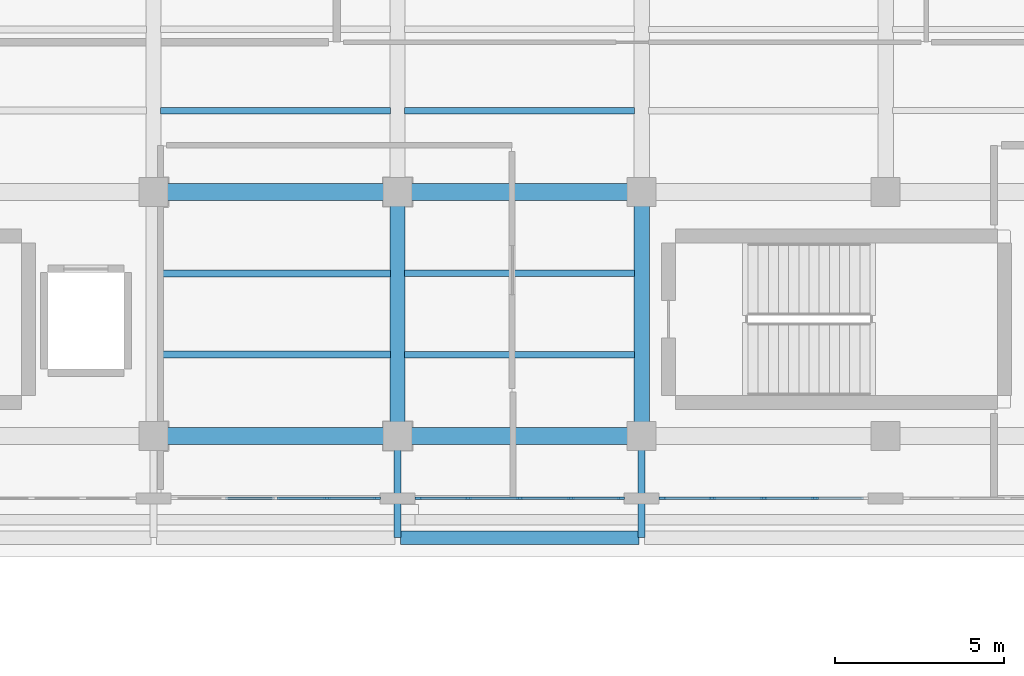
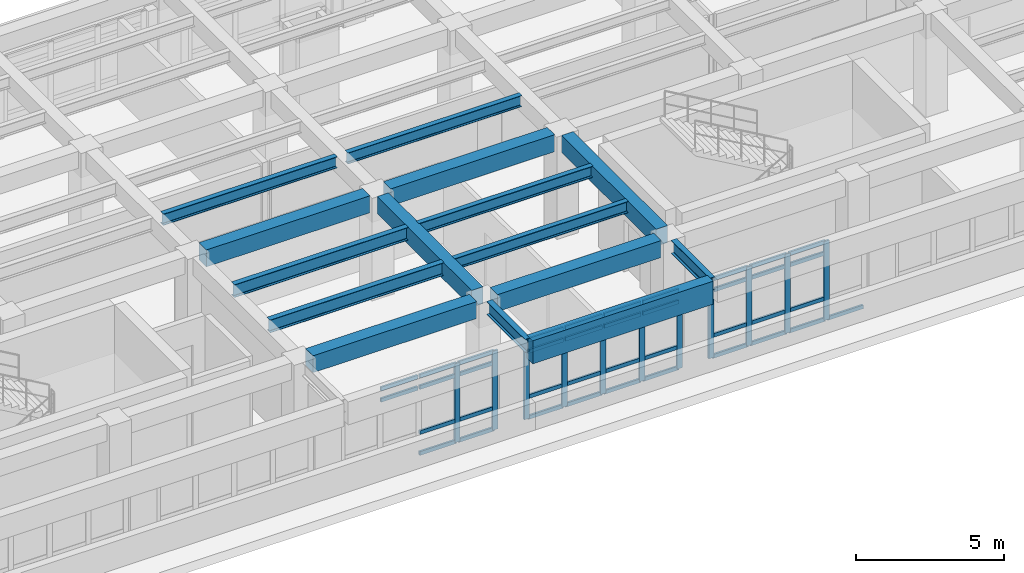
# One storey, part 40 of 98: 50 members, 15 beams, 3 elements without a shape of their own.
"""IFC4 building model written with IfcOpenShell, lengths in metres."""

from ifc_helpers import new_model, si_unit, direction, frame, origin, origin_2d, place, context, subcontext, project, spatial, rectangle, i_section, extrude, material, layer, layer_set, material_profile, profile_set, type_object, element, aggregate, save


model = new_model("IFC4")

# Units and contexts
model_context = context("Model", 3, precision=1e-05, world=origin(), true_north=direction((0.0, 1.0)))
body_context = subcontext(model_context, "Body", "Model", "MODEL_VIEW")
ifc_project = project(units=[si_unit("LENGTHUNIT", "METRE"), si_unit("AREAUNIT", "SQUARE_METRE"), si_unit("VOLUMEUNIT", "CUBIC_METRE"), si_unit("PLANEANGLEUNIT", "RADIAN"), si_unit("MASSUNIT", "GRAM", prefix="KILO")], contexts=[model_context])

# Site, building, storey
site_placement = place(None, origin())
site = spatial("IfcSite", under=ifc_project, at=site_placement, CompositionType="ELEMENT")
building_placement = place(site_placement, origin())
building = spatial("IfcBuilding", under=site, at=building_placement, Name="Solenvale Faculty of Natural Sciences", CompositionType="ELEMENT")
storey_placement = place(building_placement, frame((0.0, 0.0, 9.0)))
storey = spatial("IfcBuildingStorey", under=building, at=storey_placement, Name="L02", CompositionType="ELEMENT", Elevation=9.0)

# Beams
ifc_material_1 = material(Name="Concrete 40 MPa", Category="concrete")
ifc_material_profile_1 = material_profile(ifc_material_1, rectangle(XDim=0.449951171875, YDim=0.699951171875, at=origin_2d()), Name="RC-BM-450x700")
ifc_profile_set_1 = profile_set([ifc_material_profile_1], Name="Concrete 40 MPa")
beam_type_1 = type_object("IfcBeamType", Name="BM-RC-450x700", PredefinedType="BEAM", material=ifc_profile_set_1)
for number, where, z_axis, x_axis, name in (
    (1, (86.39990234375, 22.0048828125, 3.8701171875), (0.0, 1.0, 0.0), (-1.0, 0.0, 0.0), "L02 Y-Girder X86.4 (21.6..28.8)"),
    (2, (93.60009765625, 22.0048828125, 3.8701171875), (0.0, 1.0, 0.0), (-1.0, 0.0, 0.0), "L02 Y-Girder X93.6 (21.6..28.8)"),
):
    element("IfcBeam", number, at=place(storey_placement, frame(where, z_axis=z_axis, x_axis=x_axis)), inside=storey, type_object=beam_type_1, Name=name, PredefinedType="BEAM", context=body_context, shape_type="SweptSolid", body=[
        extrude(rectangle(XDim=0.449951171875, YDim=0.699951171875, at=origin_2d()), origin(), (0.0, 0.0, 1.0), 6.39013671875),
    ])
ifc_material_profile_2 = material_profile(ifc_material_1, rectangle(XDim=0.5, YDim=0.699951171875, at=origin_2d()), Name="RC-BM-500x700")
ifc_profile_set_2 = profile_set([ifc_material_profile_2], Name="Concrete 40 MPa")
beam_type_2 = type_object("IfcBeamType", Name="BM-RC-500x700", PredefinedType="BEAM", material=ifc_profile_set_2)
for number, where, z_axis, x_axis, name in (
    (3, (79.60498046875, 21.60009765625, 3.8701171875), (1.0, 0.0, 0.0), (0.0, 1.0, 0.0), "L02 X-Girder Y21.6 (79.2..86.4)"),
    (4, (86.804931640625, 21.60009765625, 3.8701171875), (1.0, 0.0, 0.0), (0.0, 1.0, 0.0), "L02 X-Girder Y21.6 (86.4..93.6)"),
    (5, (79.60498046875, 28.800048828125, 3.8701171875), (1.0, 0.0, 0.0), (0.0, 1.0, 0.0), "L02 X-Girder Y28.8 (79.2..86.4)"),
    (6, (86.804931640625, 28.800048828125, 3.8701171875), (1.0, 0.0, 0.0), (0.0, 1.0, 0.0), "L02 X-Girder Y28.8 (86.4..93.6)"),
):
    element("IfcBeam", number, at=place(storey_placement, frame(where, z_axis=z_axis, x_axis=x_axis)), inside=storey, type_object=beam_type_2, Name=name, PredefinedType="BEAM", context=body_context, shape_type="SweptSolid", body=[
        extrude(rectangle(XDim=0.5, YDim=0.699951171875, at=origin_2d()), origin(), (0.0, 0.0, 1.0), 6.39013671875),
    ])
ifc_material_2 = material(Name="Architectural bronze concrete 40 MPa", Category="concrete")
ifc_material_profile_3 = material_profile(ifc_material_2, rectangle(XDim=0.39990234375, YDim=0.949951171875, at=origin_2d()), Name="RC-SPN-400x950")
ifc_profile_set_3 = profile_set([ifc_material_profile_3], Name="Architectural bronze concrete 40 MPa")
beam_type_3 = type_object("IfcBeamType", Name="BM-SPN-BRZ-950", PredefinedType="SPANDREL", material=ifc_profile_set_3)
beam_1_placement = place(storey_placement, frame((86.47998046875, 18.60009765625, 3.7451171875), z_axis=(1.0, 0.0, 0.0), x_axis=(0.0, 1.0, 0.0)))
element("IfcBeam", 7, at=beam_1_placement, inside=storey, type_object=beam_type_3, Name="L03 Sliding-Tray South Bronze Fascia 4", PredefinedType="SPANDREL", context=body_context, shape_type="SweptSolid", body=[
    extrude(rectangle(XDim=0.39990234375, YDim=0.949951171875, at=origin_2d()), origin(), (0.0, 0.0, 1.0), 7.0400390625),
])
ifc_material_3 = material(Name="Steel S355", Category="steel")
ifc_material_profile_4 = material_profile(ifc_material_3, i_section(OverallWidth=0.194091796875, OverallDepth=0.468994140625, WebThickness=0.0126953125, FlangeThickness=0.0205078125, FilletRadius=0.01806640625, at=origin_2d()), Name="W460x106")
ifc_profile_set_4 = profile_set([ifc_material_profile_4], Name="Steel S355")
beam_type_4 = type_object("IfcBeamType", Name="BM-STL-W460x106", PredefinedType="JOIST", material=ifc_profile_set_4)
for number, where, z_axis, x_axis, name in (
    (8, (79.405029296875, 31.199951171875, 3.985595703125), (1.0, 0.0, 0.0), (0.0, 1.0, 0.0), "L02 Composite Floor Joist (12,5).1"),
    (9, (86.60498046875, 24.0, 3.985595703125), (1.0, 0.0, 0.0), (0.0, 1.0, 0.0), "L02 Composite Floor Joist (13,4).1"),
    (10, (86.60498046875, 26.39990234375, 3.985595703125), (1.0, 0.0, 0.0), (0.0, 1.0, 0.0), "L02 Composite Floor Joist (13,4).2"),
):
    element("IfcBeam", number, at=place(storey_placement, frame(where, z_axis=z_axis, x_axis=x_axis)), inside=storey, type_object=beam_type_4, Name=name, PredefinedType="JOIST", context=body_context, shape_type="SweptSolid", body=[
        extrude(i_section(OverallWidth=0.194091796875, OverallDepth=0.468994140625, WebThickness=0.0126953125, FlangeThickness=0.0205078125, FilletRadius=0.01806640625, at=origin_2d()), origin(), (0.0, 0.0, 1.0), 6.7900390625),
    ])
ifc_material_profile_5 = material_profile(ifc_material_3, i_section(OverallWidth=0.19091796875, OverallDepth=0.4599609375, WebThickness=0.010009765625, FlangeThickness=0.01611328125, FilletRadius=0.01806640625, at=origin_2d()), Name="W460x82")
ifc_profile_set_5 = profile_set([ifc_material_profile_5], Name="Steel S355")
beam_type_5 = type_object("IfcBeamType", Name="BM-STL-W460x82", PredefinedType="JOIST", material=ifc_profile_set_5)
beam_2_placement = place(storey_placement, frame((86.60498046875, 31.199951171875, 3.989990234375), z_axis=(1.0, 0.0, 0.0), x_axis=(0.0, 1.0, 0.0)))
element("IfcBeam", 11, at=beam_2_placement, inside=storey, type_object=beam_type_5, Name="L02 Composite Floor Joist (13,5).1", PredefinedType="JOIST", context=body_context, shape_type="SweptSolid", body=[
    extrude(i_section(OverallWidth=0.19091796875, OverallDepth=0.4599609375, WebThickness=0.010009765625, FlangeThickness=0.01611328125, FilletRadius=0.01806640625, at=origin_2d()), origin(), (0.0, 0.0, 1.0), 6.7900390625),
])
ifc_material_profile_6 = material_profile(ifc_material_3, i_section(OverallWidth=0.2119140625, OverallDepth=0.5439453125, WebThickness=0.01318359375, FlangeThickness=0.021240234375, FilletRadius=0.01904296875, at=origin_2d()), Name="W530x123")
ifc_profile_set_6 = profile_set([ifc_material_profile_6], Name="Steel S355")
beam_type_6 = type_object("IfcBeamType", Name="BM-STL-W530x123", PredefinedType="BEAM", material=ifc_profile_set_6)
for number, where, z_axis, x_axis, name in (
    (12, (86.39990234375, 21.195068359375, 3.947998046875), (0.0, -1.0, 0.0), (1.0, 0.0, 0.0), "L02 V4 Cantilever Tray Girder X86.4"),
    (13, (93.60009765625, 21.195068359375, 3.947998046875), (0.0, -1.0, 0.0), (1.0, 0.0, 0.0), "L02 V4 Cantilever Tray Girder X93.6"),
):
    element("IfcBeam", number, at=place(storey_placement, frame(where, z_axis=z_axis, x_axis=x_axis)), inside=storey, type_object=beam_type_6, Name=name, PredefinedType="BEAM", context=body_context, shape_type="SweptSolid", body=[
        extrude(i_section(OverallWidth=0.2119140625, OverallDepth=0.5439453125, WebThickness=0.01318359375, FlangeThickness=0.021240234375, FilletRadius=0.01904296875, at=origin_2d()), origin(), (0.0, 0.0, 1.0), 2.594970703125),
    ])
ifc_material_profile_7 = material_profile(ifc_material_3, i_section(OverallWidth=0.208984375, OverallDepth=0.532958984375, WebThickness=0.01025390625, FlangeThickness=0.015625, FilletRadius=0.01904296875, at=origin_2d()), Name="W530x92")
ifc_profile_set_7 = profile_set([ifc_material_profile_7], Name="Steel S355")
beam_type_7 = type_object("IfcBeamType", Name="BM-STL-W530x92", PredefinedType="JOIST", material=ifc_profile_set_7)
for number, where, z_axis, x_axis, name in (
    (14, (79.405029296875, 24.0, 3.95361328125), (1.0, 0.0, 0.0), (0.0, 1.0, 0.0), "L02 Composite Floor Joist (12,4).1"),
    (15, (79.405029296875, 26.39990234375, 3.95361328125), (1.0, 0.0, 0.0), (0.0, 1.0, 0.0), "L02 Composite Floor Joist (12,4).2"),
):
    element("IfcBeam", number, at=place(storey_placement, frame(where, z_axis=z_axis, x_axis=x_axis)), inside=storey, type_object=beam_type_7, Name=name, PredefinedType="JOIST", context=body_context, shape_type="SweptSolid", body=[
        extrude(i_section(OverallWidth=0.208984375, OverallDepth=0.532958984375, WebThickness=0.01025390625, FlangeThickness=0.015625, FilletRadius=0.01904296875, at=origin_2d()), origin(), (0.0, 0.0, 1.0), 6.7900390625),
    ])

# Curtain wall, members
ifc_material_4 = material(Name="Anodised bronze aluminium", Category="aluminium")
ifc_layer = layer(ifc_material_4, 0.18994140625)
ifc_layer_set = layer_set([ifc_layer], Name="Anodised bronze aluminium")
curtain_wall_type = type_object("IfcCurtainWallType", Name="CW-TRAY-REC", PredefinedType="USERDEFINED", material=ifc_layer_set)
curtain_wall_1_placement = place(storey_placement, origin())
curtain_wall_1 = element("IfcCurtainWall", 16, at=curtain_wall_1_placement, inside=storey, type_object=curtain_wall_type, Name="L02 Curtain Wall CW-L02-P1-E12-B4", ObjectType="UNITISED CURTAIN WALL", PredefinedType="USERDEFINED")
ifc_material_profile_8 = material_profile(ifc_material_4, rectangle(XDim=0.074951171875, YDim=0.2099609375, at=origin_2d()), Name="ALU-MUL-75x210")
ifc_profile_set_8 = profile_set([ifc_material_profile_8], Name="Anodised bronze aluminium")
member_type_1 = type_object("IfcMemberType", Name="CWM-ALU-75x210", PredefinedType="MULLION", material=ifc_profile_set_8)
member_1_placement = place(storey_placement, frame((84.31005859375, 19.762451171875, 0.0), z_axis=(0.0, 0.0, 1.0), x_axis=(0.0, 1.0, 0.0)))
member_1 = element("IfcMember", 17, at=member_1_placement, type_object=member_type_1, Name="CW-02 mullion 4", PredefinedType="MULLION", context=body_context, shape_type="SweptSolid", body=[
    extrude(rectangle(XDim=0.074951171875, YDim=0.2099609375, at=origin_2d()), origin(), (0.0, 0.0, 1.0), 3.260009765625),
])
member_2_placement = place(storey_placement, frame((85.782470703125, 19.762451171875, 0.0), z_axis=(0.0, 0.0, 1.0), x_axis=(0.0, 1.0, 0.0)))
member_2 = element("IfcMember", 18, at=member_2_placement, type_object=member_type_1, Name="CW-02 mullion 5", PredefinedType="MULLION", context=body_context, shape_type="SweptSolid", body=[
    extrude(rectangle(XDim=0.074951171875, YDim=0.2099609375, at=origin_2d()), origin(), (0.0, 0.0, 1.0), 3.260009765625),
])

curtain_wall_2_placement = place(storey_placement, origin())
curtain_wall_2 = element("IfcCurtainWall", 19, at=curtain_wall_2_placement, inside=storey, type_object=curtain_wall_type, Name="L02 Curtain Wall CW-L02-P1-E12-B5", ObjectType="UNITISED CURTAIN WALL", PredefinedType="USERDEFINED")
member_3_placement = place(storey_placement, frame((87.017578125, 19.762451171875, 0.0), z_axis=(0.0, 0.0, 1.0), x_axis=(0.0, 1.0, 0.0)))
member_3 = element("IfcMember", 20, at=member_3_placement, type_object=member_type_1, Name="CW-02 mullion 1", PredefinedType="MULLION", context=body_context, shape_type="SweptSolid", body=[
    extrude(rectangle(XDim=0.074951171875, YDim=0.2099609375, at=origin_2d()), origin(), (0.0, 0.0, 1.0), 3.260009765625),
])
member_4_placement = place(storey_placement, frame((88.489990234375, 19.762451171875, 0.0), z_axis=(0.0, 0.0, 1.0), x_axis=(0.0, 1.0, 0.0)))
member_4 = element("IfcMember", 21, at=member_4_placement, type_object=member_type_1, Name="CW-02 mullion 2", PredefinedType="MULLION", context=body_context, shape_type="SweptSolid", body=[
    extrude(rectangle(XDim=0.074951171875, YDim=0.2099609375, at=origin_2d()), origin(), (0.0, 0.0, 1.0), 3.260009765625),
])
member_5_placement = place(storey_placement, frame((90.0, 19.762451171875, 0.0), z_axis=(0.0, 0.0, 1.0), x_axis=(0.0, 1.0, 0.0)))
member_5 = element("IfcMember", 22, at=member_5_placement, type_object=member_type_1, Name="CW-02 mullion 3", PredefinedType="MULLION", context=body_context, shape_type="SweptSolid", body=[
    extrude(rectangle(XDim=0.074951171875, YDim=0.2099609375, at=origin_2d()), origin(), (0.0, 0.0, 1.0), 3.260009765625),
])
member_6_placement = place(storey_placement, frame((91.510009765625, 19.762451171875, 0.0), z_axis=(0.0, 0.0, 1.0), x_axis=(0.0, 1.0, 0.0)))
member_6 = element("IfcMember", 23, at=member_6_placement, type_object=member_type_1, Name="CW-02 mullion 4", PredefinedType="MULLION", context=body_context, shape_type="SweptSolid", body=[
    extrude(rectangle(XDim=0.074951171875, YDim=0.2099609375, at=origin_2d()), origin(), (0.0, 0.0, 1.0), 3.260009765625),
])
member_7_placement = place(storey_placement, frame((92.982421875, 19.762451171875, 0.0), z_axis=(0.0, 0.0, 1.0), x_axis=(0.0, 1.0, 0.0)))
member_7 = element("IfcMember", 24, at=member_7_placement, type_object=member_type_1, Name="CW-02 mullion 5", PredefinedType="MULLION", context=body_context, shape_type="SweptSolid", body=[
    extrude(rectangle(XDim=0.074951171875, YDim=0.2099609375, at=origin_2d()), origin(), (0.0, 0.0, 1.0), 3.260009765625),
])

curtain_wall_3_placement = place(storey_placement, origin())
curtain_wall_3 = element("IfcCurtainWall", 25, at=curtain_wall_3_placement, inside=storey, type_object=curtain_wall_type, Name="L02 Curtain Wall CW-L02-P1-E12-B6", ObjectType="UNITISED CURTAIN WALL", PredefinedType="USERDEFINED")
member_8_placement = place(storey_placement, frame((94.217529296875, 19.762451171875, 0.0), z_axis=(0.0, 0.0, 1.0), x_axis=(0.0, 1.0, 0.0)))
member_8 = element("IfcMember", 26, at=member_8_placement, type_object=member_type_1, Name="CW-02 mullion 1", PredefinedType="MULLION", context=body_context, shape_type="SweptSolid", body=[
    extrude(rectangle(XDim=0.074951171875, YDim=0.2099609375, at=origin_2d()), origin(), (0.0, 0.0, 1.0), 3.260009765625),
])
member_9_placement = place(storey_placement, frame((95.68994140625, 19.762451171875, 0.0), z_axis=(0.0, 0.0, 1.0), x_axis=(0.0, 1.0, 0.0)))
member_9 = element("IfcMember", 27, at=member_9_placement, type_object=member_type_1, Name="CW-02 mullion 2", PredefinedType="MULLION", context=body_context, shape_type="SweptSolid", body=[
    extrude(rectangle(XDim=0.074951171875, YDim=0.2099609375, at=origin_2d()), origin(), (0.0, 0.0, 1.0), 3.260009765625),
])
member_10_placement = place(storey_placement, frame((97.199951171875, 19.762451171875, 0.0), z_axis=(0.0, 0.0, 1.0), x_axis=(0.0, 1.0, 0.0)))
member_10 = element("IfcMember", 28, at=member_10_placement, type_object=member_type_1, Name="CW-02 mullion 3", PredefinedType="MULLION", context=body_context, shape_type="SweptSolid", body=[
    extrude(rectangle(XDim=0.074951171875, YDim=0.2099609375, at=origin_2d()), origin(), (0.0, 0.0, 1.0), 3.260009765625),
])
member_11_placement = place(storey_placement, frame((98.7099609375, 19.762451171875, 0.0), z_axis=(0.0, 0.0, 1.0), x_axis=(0.0, 1.0, 0.0)))
member_11 = element("IfcMember", 29, at=member_11_placement, type_object=member_type_1, Name="CW-02 mullion 4", PredefinedType="MULLION", context=body_context, shape_type="SweptSolid", body=[
    extrude(rectangle(XDim=0.074951171875, YDim=0.2099609375, at=origin_2d()), origin(), (0.0, 0.0, 1.0), 3.260009765625),
])

# Member
ifc_material_profile_9 = material_profile(ifc_material_4, rectangle(XDim=0.074951171875, YDim=0.155029296875, at=origin_2d()), Name="ALU-TRN-75x155")
ifc_profile_set_9 = profile_set([ifc_material_profile_9], Name="Anodised bronze aluminium")
member_type_2 = type_object("IfcMemberType", Name="CWT-ALU-75x155", PredefinedType="USERDEFINED", material=ifc_profile_set_9)
member_12_placement = place(storey_placement, frame((81.327392578125, 19.762451171875, 2.760009765625), z_axis=(1.0, 0.0, 0.0), x_axis=(0.0, 1.0, 0.0)))
member_12 = element("IfcMember", 30, at=member_12_placement, type_object=member_type_2, Name="CW-02 transom 2.3", ObjectType="TRANSOM", PredefinedType="USERDEFINED", context=body_context, shape_type="SweptSolid", body=[
    extrude(rectangle(XDim=0.074951171875, YDim=0.155029296875, at=origin_2d()), origin(), (0.0, 0.0, 1.0), 1.43505859375),
])

member_13_placement = place(storey_placement, frame((81.327392578125, 19.762451171875, 3.222412109375), z_axis=(1.0, 0.0, 0.0), x_axis=(0.0, 1.0, 0.0)))
member_13 = element("IfcMember", 31, at=member_13_placement, type_object=member_type_2, Name="CW-02 transom 2.4", ObjectType="TRANSOM", PredefinedType="USERDEFINED", context=body_context, shape_type="SweptSolid", body=[
    extrude(rectangle(XDim=0.074951171875, YDim=0.155029296875, at=origin_2d()), origin(), (0.0, 0.0, 1.0), 1.43505859375),
])

member_14_placement = place(storey_placement, frame((82.83740234375, 19.762451171875, 0.03759765625), z_axis=(1.0, 0.0, 0.0), x_axis=(0.0, 1.0, 0.0)))
member_14 = element("IfcMember", 32, at=member_14_placement, type_object=member_type_2, Name="CW-02 transom 3.1", ObjectType="TRANSOM", PredefinedType="USERDEFINED", context=body_context, shape_type="SweptSolid", body=[
    extrude(rectangle(XDim=0.074951171875, YDim=0.155029296875, at=origin_2d()), origin(), (0.0, 0.0, 1.0), 1.43505859375),
])

member_15_placement = place(storey_placement, frame((82.83740234375, 19.762451171875, 0.89990234375), z_axis=(1.0, 0.0, 0.0), x_axis=(0.0, 1.0, 0.0)))
member_15 = element("IfcMember", 33, at=member_15_placement, type_object=member_type_2, Name="CW-02 transom 3.2", ObjectType="TRANSOM", PredefinedType="USERDEFINED", context=body_context, shape_type="SweptSolid", body=[
    extrude(rectangle(XDim=0.074951171875, YDim=0.155029296875, at=origin_2d()), origin(), (0.0, 0.0, 1.0), 1.43505859375),
])

member_16_placement = place(storey_placement, frame((82.83740234375, 19.762451171875, 2.760009765625), z_axis=(1.0, 0.0, 0.0), x_axis=(0.0, 1.0, 0.0)))
member_16 = element("IfcMember", 34, at=member_16_placement, type_object=member_type_2, Name="CW-02 transom 3.3", ObjectType="TRANSOM", PredefinedType="USERDEFINED", context=body_context, shape_type="SweptSolid", body=[
    extrude(rectangle(XDim=0.074951171875, YDim=0.155029296875, at=origin_2d()), origin(), (0.0, 0.0, 1.0), 1.43505859375),
])

member_17_placement = place(storey_placement, frame((82.83740234375, 19.762451171875, 3.222412109375), z_axis=(1.0, 0.0, 0.0), x_axis=(0.0, 1.0, 0.0)))
member_17 = element("IfcMember", 35, at=member_17_placement, type_object=member_type_2, Name="CW-02 transom 3.4", ObjectType="TRANSOM", PredefinedType="USERDEFINED", context=body_context, shape_type="SweptSolid", body=[
    extrude(rectangle(XDim=0.074951171875, YDim=0.155029296875, at=origin_2d()), origin(), (0.0, 0.0, 1.0), 1.43505859375),
])

member_18_placement = place(storey_placement, frame((84.347412109375, 19.762451171875, 0.03759765625), z_axis=(1.0, 0.0, 0.0), x_axis=(0.0, 1.0, 0.0)))
member_18 = element("IfcMember", 36, at=member_18_placement, type_object=member_type_2, Name="CW-02 transom 4.1", ObjectType="TRANSOM", PredefinedType="USERDEFINED", context=body_context, shape_type="SweptSolid", body=[
    extrude(rectangle(XDim=0.074951171875, YDim=0.155029296875, at=origin_2d()), origin(), (0.0, 0.0, 1.0), 1.397705078125),
])

member_19_placement = place(storey_placement, frame((84.347412109375, 19.762451171875, 0.89990234375), z_axis=(1.0, 0.0, 0.0), x_axis=(0.0, 1.0, 0.0)))
member_19 = element("IfcMember", 37, at=member_19_placement, type_object=member_type_2, Name="CW-02 transom 4.2", ObjectType="TRANSOM", PredefinedType="USERDEFINED", context=body_context, shape_type="SweptSolid", body=[
    extrude(rectangle(XDim=0.074951171875, YDim=0.155029296875, at=origin_2d()), origin(), (0.0, 0.0, 1.0), 1.397705078125),
])

member_20_placement = place(storey_placement, frame((84.347412109375, 19.762451171875, 2.760009765625), z_axis=(1.0, 0.0, 0.0), x_axis=(0.0, 1.0, 0.0)))
member_20 = element("IfcMember", 38, at=member_20_placement, type_object=member_type_2, Name="CW-02 transom 4.3", ObjectType="TRANSOM", PredefinedType="USERDEFINED", context=body_context, shape_type="SweptSolid", body=[
    extrude(rectangle(XDim=0.074951171875, YDim=0.155029296875, at=origin_2d()), origin(), (0.0, 0.0, 1.0), 1.397705078125),
])

member_21_placement = place(storey_placement, frame((84.347412109375, 19.762451171875, 3.222412109375), z_axis=(1.0, 0.0, 0.0), x_axis=(0.0, 1.0, 0.0)))
member_21 = element("IfcMember", 39, at=member_21_placement, type_object=member_type_2, Name="CW-02 transom 4.4", ObjectType="TRANSOM", PredefinedType="USERDEFINED", context=body_context, shape_type="SweptSolid", body=[
    extrude(rectangle(XDim=0.074951171875, YDim=0.155029296875, at=origin_2d()), origin(), (0.0, 0.0, 1.0), 1.397705078125),
])

aggregate(curtain_wall_1, [member_1, member_2, member_12, member_13, member_14, member_15, member_16, member_17, member_18, member_19, member_20, member_21])

member_22_placement = place(storey_placement, frame((87.054931640625, 19.762451171875, 0.03759765625), z_axis=(1.0, 0.0, 0.0), x_axis=(0.0, 1.0, 0.0)))
member_22 = element("IfcMember", 40, at=member_22_placement, type_object=member_type_2, Name="CW-02 transom 1.1", ObjectType="TRANSOM", PredefinedType="USERDEFINED", context=body_context, shape_type="SweptSolid", body=[
    extrude(rectangle(XDim=0.074951171875, YDim=0.155029296875, at=origin_2d()), origin(), (0.0, 0.0, 1.0), 1.3974609375),
])

member_23_placement = place(storey_placement, frame((87.054931640625, 19.762451171875, 0.89990234375), z_axis=(1.0, 0.0, 0.0), x_axis=(0.0, 1.0, 0.0)))
member_23 = element("IfcMember", 41, at=member_23_placement, type_object=member_type_2, Name="CW-02 transom 1.2", ObjectType="TRANSOM", PredefinedType="USERDEFINED", context=body_context, shape_type="SweptSolid", body=[
    extrude(rectangle(XDim=0.074951171875, YDim=0.155029296875, at=origin_2d()), origin(), (0.0, 0.0, 1.0), 1.3974609375),
])

member_24_placement = place(storey_placement, frame((87.054931640625, 19.762451171875, 2.760009765625), z_axis=(1.0, 0.0, 0.0), x_axis=(0.0, 1.0, 0.0)))
member_24 = element("IfcMember", 42, at=member_24_placement, type_object=member_type_2, Name="CW-02 transom 1.3", ObjectType="TRANSOM", PredefinedType="USERDEFINED", context=body_context, shape_type="SweptSolid", body=[
    extrude(rectangle(XDim=0.074951171875, YDim=0.155029296875, at=origin_2d()), origin(), (0.0, 0.0, 1.0), 1.3974609375),
])

member_25_placement = place(storey_placement, frame((87.054931640625, 19.762451171875, 3.222412109375), z_axis=(1.0, 0.0, 0.0), x_axis=(0.0, 1.0, 0.0)))
member_25 = element("IfcMember", 43, at=member_25_placement, type_object=member_type_2, Name="CW-02 transom 1.4", ObjectType="TRANSOM", PredefinedType="USERDEFINED", context=body_context, shape_type="SweptSolid", body=[
    extrude(rectangle(XDim=0.074951171875, YDim=0.155029296875, at=origin_2d()), origin(), (0.0, 0.0, 1.0), 1.3974609375),
])

member_26_placement = place(storey_placement, frame((88.527587890625, 19.762451171875, 0.03759765625), z_axis=(1.0, 0.0, 0.0), x_axis=(0.0, 1.0, 0.0)))
member_26 = element("IfcMember", 44, at=member_26_placement, type_object=member_type_2, Name="CW-02 transom 2.1", ObjectType="TRANSOM", PredefinedType="USERDEFINED", context=body_context, shape_type="SweptSolid", body=[
    extrude(rectangle(XDim=0.074951171875, YDim=0.155029296875, at=origin_2d()), origin(), (0.0, 0.0, 1.0), 1.434814453125),
])

member_27_placement = place(storey_placement, frame((88.527587890625, 19.762451171875, 0.89990234375), z_axis=(1.0, 0.0, 0.0), x_axis=(0.0, 1.0, 0.0)))
member_27 = element("IfcMember", 45, at=member_27_placement, type_object=member_type_2, Name="CW-02 transom 2.2", ObjectType="TRANSOM", PredefinedType="USERDEFINED", context=body_context, shape_type="SweptSolid", body=[
    extrude(rectangle(XDim=0.074951171875, YDim=0.155029296875, at=origin_2d()), origin(), (0.0, 0.0, 1.0), 1.434814453125),
])

member_28_placement = place(storey_placement, frame((88.527587890625, 19.762451171875, 2.760009765625), z_axis=(1.0, 0.0, 0.0), x_axis=(0.0, 1.0, 0.0)))
member_28 = element("IfcMember", 46, at=member_28_placement, type_object=member_type_2, Name="CW-02 transom 2.3", ObjectType="TRANSOM", PredefinedType="USERDEFINED", context=body_context, shape_type="SweptSolid", body=[
    extrude(rectangle(XDim=0.074951171875, YDim=0.155029296875, at=origin_2d()), origin(), (0.0, 0.0, 1.0), 1.434814453125),
])

member_29_placement = place(storey_placement, frame((88.527587890625, 19.762451171875, 3.222412109375), z_axis=(1.0, 0.0, 0.0), x_axis=(0.0, 1.0, 0.0)))
member_29 = element("IfcMember", 47, at=member_29_placement, type_object=member_type_2, Name="CW-02 transom 2.4", ObjectType="TRANSOM", PredefinedType="USERDEFINED", context=body_context, shape_type="SweptSolid", body=[
    extrude(rectangle(XDim=0.074951171875, YDim=0.155029296875, at=origin_2d()), origin(), (0.0, 0.0, 1.0), 1.434814453125),
])

member_30_placement = place(storey_placement, frame((90.03759765625, 19.762451171875, 0.03759765625), z_axis=(1.0, 0.0, 0.0), x_axis=(0.0, 1.0, 0.0)))
member_30 = element("IfcMember", 48, at=member_30_placement, type_object=member_type_2, Name="CW-02 transom 3.1", ObjectType="TRANSOM", PredefinedType="USERDEFINED", context=body_context, shape_type="SweptSolid", body=[
    extrude(rectangle(XDim=0.074951171875, YDim=0.155029296875, at=origin_2d()), origin(), (0.0, 0.0, 1.0), 1.434814453125),
])

member_31_placement = place(storey_placement, frame((90.03759765625, 19.762451171875, 0.89990234375), z_axis=(1.0, 0.0, 0.0), x_axis=(0.0, 1.0, 0.0)))
member_31 = element("IfcMember", 49, at=member_31_placement, type_object=member_type_2, Name="CW-02 transom 3.2", ObjectType="TRANSOM", PredefinedType="USERDEFINED", context=body_context, shape_type="SweptSolid", body=[
    extrude(rectangle(XDim=0.074951171875, YDim=0.155029296875, at=origin_2d()), origin(), (0.0, 0.0, 1.0), 1.434814453125),
])

member_32_placement = place(storey_placement, frame((90.03759765625, 19.762451171875, 2.760009765625), z_axis=(1.0, 0.0, 0.0), x_axis=(0.0, 1.0, 0.0)))
member_32 = element("IfcMember", 50, at=member_32_placement, type_object=member_type_2, Name="CW-02 transom 3.3", ObjectType="TRANSOM", PredefinedType="USERDEFINED", context=body_context, shape_type="SweptSolid", body=[
    extrude(rectangle(XDim=0.074951171875, YDim=0.155029296875, at=origin_2d()), origin(), (0.0, 0.0, 1.0), 1.434814453125),
])

member_33_placement = place(storey_placement, frame((90.03759765625, 19.762451171875, 3.222412109375), z_axis=(1.0, 0.0, 0.0), x_axis=(0.0, 1.0, 0.0)))
member_33 = element("IfcMember", 51, at=member_33_placement, type_object=member_type_2, Name="CW-02 transom 3.4", ObjectType="TRANSOM", PredefinedType="USERDEFINED", context=body_context, shape_type="SweptSolid", body=[
    extrude(rectangle(XDim=0.074951171875, YDim=0.155029296875, at=origin_2d()), origin(), (0.0, 0.0, 1.0), 1.434814453125),
])

member_34_placement = place(storey_placement, frame((91.547607421875, 19.762451171875, 0.03759765625), z_axis=(1.0, 0.0, 0.0), x_axis=(0.0, 1.0, 0.0)))
member_34 = element("IfcMember", 52, at=member_34_placement, type_object=member_type_2, Name="CW-02 transom 4.1", ObjectType="TRANSOM", PredefinedType="USERDEFINED", context=body_context, shape_type="SweptSolid", body=[
    extrude(rectangle(XDim=0.074951171875, YDim=0.155029296875, at=origin_2d()), origin(), (0.0, 0.0, 1.0), 1.3974609375),
])

member_35_placement = place(storey_placement, frame((91.547607421875, 19.762451171875, 0.89990234375), z_axis=(1.0, 0.0, 0.0), x_axis=(0.0, 1.0, 0.0)))
member_35 = element("IfcMember", 53, at=member_35_placement, type_object=member_type_2, Name="CW-02 transom 4.2", ObjectType="TRANSOM", PredefinedType="USERDEFINED", context=body_context, shape_type="SweptSolid", body=[
    extrude(rectangle(XDim=0.074951171875, YDim=0.155029296875, at=origin_2d()), origin(), (0.0, 0.0, 1.0), 1.3974609375),
])

member_36_placement = place(storey_placement, frame((91.547607421875, 19.762451171875, 2.760009765625), z_axis=(1.0, 0.0, 0.0), x_axis=(0.0, 1.0, 0.0)))
member_36 = element("IfcMember", 54, at=member_36_placement, type_object=member_type_2, Name="CW-02 transom 4.3", ObjectType="TRANSOM", PredefinedType="USERDEFINED", context=body_context, shape_type="SweptSolid", body=[
    extrude(rectangle(XDim=0.074951171875, YDim=0.155029296875, at=origin_2d()), origin(), (0.0, 0.0, 1.0), 1.3974609375),
])

member_37_placement = place(storey_placement, frame((91.547607421875, 19.762451171875, 3.222412109375), z_axis=(1.0, 0.0, 0.0), x_axis=(0.0, 1.0, 0.0)))
member_37 = element("IfcMember", 55, at=member_37_placement, type_object=member_type_2, Name="CW-02 transom 4.4", ObjectType="TRANSOM", PredefinedType="USERDEFINED", context=body_context, shape_type="SweptSolid", body=[
    extrude(rectangle(XDim=0.074951171875, YDim=0.155029296875, at=origin_2d()), origin(), (0.0, 0.0, 1.0), 1.3974609375),
])

aggregate(curtain_wall_2, [member_3, member_4, member_5, member_6, member_7, member_22, member_23, member_24, member_25, member_26, member_27, member_28, member_29, member_30, member_31, member_32, member_33, member_34, member_35, member_36, member_37])

member_38_placement = place(storey_placement, frame((94.2548828125, 19.762451171875, 0.03759765625), z_axis=(1.0, 0.0, 0.0), x_axis=(0.0, 1.0, 0.0)))
member_38 = element("IfcMember", 56, at=member_38_placement, type_object=member_type_2, Name="CW-02 transom 1.1", ObjectType="TRANSOM", PredefinedType="USERDEFINED", context=body_context, shape_type="SweptSolid", body=[
    extrude(rectangle(XDim=0.074951171875, YDim=0.155029296875, at=origin_2d()), origin(), (0.0, 0.0, 1.0), 1.397705078125),
])

member_39_placement = place(storey_placement, frame((94.2548828125, 19.762451171875, 0.89990234375), z_axis=(1.0, 0.0, 0.0), x_axis=(0.0, 1.0, 0.0)))
member_39 = element("IfcMember", 57, at=member_39_placement, type_object=member_type_2, Name="CW-02 transom 1.2", ObjectType="TRANSOM", PredefinedType="USERDEFINED", context=body_context, shape_type="SweptSolid", body=[
    extrude(rectangle(XDim=0.074951171875, YDim=0.155029296875, at=origin_2d()), origin(), (0.0, 0.0, 1.0), 1.397705078125),
])

member_40_placement = place(storey_placement, frame((94.2548828125, 19.762451171875, 2.760009765625), z_axis=(1.0, 0.0, 0.0), x_axis=(0.0, 1.0, 0.0)))
member_40 = element("IfcMember", 58, at=member_40_placement, type_object=member_type_2, Name="CW-02 transom 1.3", ObjectType="TRANSOM", PredefinedType="USERDEFINED", context=body_context, shape_type="SweptSolid", body=[
    extrude(rectangle(XDim=0.074951171875, YDim=0.155029296875, at=origin_2d()), origin(), (0.0, 0.0, 1.0), 1.397705078125),
])

member_41_placement = place(storey_placement, frame((94.2548828125, 19.762451171875, 3.222412109375), z_axis=(1.0, 0.0, 0.0), x_axis=(0.0, 1.0, 0.0)))
member_41 = element("IfcMember", 59, at=member_41_placement, type_object=member_type_2, Name="CW-02 transom 1.4", ObjectType="TRANSOM", PredefinedType="USERDEFINED", context=body_context, shape_type="SweptSolid", body=[
    extrude(rectangle(XDim=0.074951171875, YDim=0.155029296875, at=origin_2d()), origin(), (0.0, 0.0, 1.0), 1.397705078125),
])

member_42_placement = place(storey_placement, frame((95.7275390625, 19.762451171875, 0.03759765625), z_axis=(1.0, 0.0, 0.0), x_axis=(0.0, 1.0, 0.0)))
member_42 = element("IfcMember", 60, at=member_42_placement, type_object=member_type_2, Name="CW-02 transom 2.1", ObjectType="TRANSOM", PredefinedType="USERDEFINED", context=body_context, shape_type="SweptSolid", body=[
    extrude(rectangle(XDim=0.074951171875, YDim=0.155029296875, at=origin_2d()), origin(), (0.0, 0.0, 1.0), 1.43505859375),
])

member_43_placement = place(storey_placement, frame((95.7275390625, 19.762451171875, 0.89990234375), z_axis=(1.0, 0.0, 0.0), x_axis=(0.0, 1.0, 0.0)))
member_43 = element("IfcMember", 61, at=member_43_placement, type_object=member_type_2, Name="CW-02 transom 2.2", ObjectType="TRANSOM", PredefinedType="USERDEFINED", context=body_context, shape_type="SweptSolid", body=[
    extrude(rectangle(XDim=0.074951171875, YDim=0.155029296875, at=origin_2d()), origin(), (0.0, 0.0, 1.0), 1.43505859375),
])

member_44_placement = place(storey_placement, frame((95.7275390625, 19.762451171875, 2.760009765625), z_axis=(1.0, 0.0, 0.0), x_axis=(0.0, 1.0, 0.0)))
member_44 = element("IfcMember", 62, at=member_44_placement, type_object=member_type_2, Name="CW-02 transom 2.3", ObjectType="TRANSOM", PredefinedType="USERDEFINED", context=body_context, shape_type="SweptSolid", body=[
    extrude(rectangle(XDim=0.074951171875, YDim=0.155029296875, at=origin_2d()), origin(), (0.0, 0.0, 1.0), 1.43505859375),
])

member_45_placement = place(storey_placement, frame((95.7275390625, 19.762451171875, 3.222412109375), z_axis=(1.0, 0.0, 0.0), x_axis=(0.0, 1.0, 0.0)))
member_45 = element("IfcMember", 63, at=member_45_placement, type_object=member_type_2, Name="CW-02 transom 2.4", ObjectType="TRANSOM", PredefinedType="USERDEFINED", context=body_context, shape_type="SweptSolid", body=[
    extrude(rectangle(XDim=0.074951171875, YDim=0.155029296875, at=origin_2d()), origin(), (0.0, 0.0, 1.0), 1.43505859375),
])

member_46_placement = place(storey_placement, frame((97.237548828125, 19.762451171875, 0.03759765625), z_axis=(1.0, 0.0, 0.0), x_axis=(0.0, 1.0, 0.0)))
member_46 = element("IfcMember", 64, at=member_46_placement, type_object=member_type_2, Name="CW-02 transom 3.1", ObjectType="TRANSOM", PredefinedType="USERDEFINED", context=body_context, shape_type="SweptSolid", body=[
    extrude(rectangle(XDim=0.074951171875, YDim=0.155029296875, at=origin_2d()), origin(), (0.0, 0.0, 1.0), 1.43505859375),
])

member_47_placement = place(storey_placement, frame((97.237548828125, 19.762451171875, 0.89990234375), z_axis=(1.0, 0.0, 0.0), x_axis=(0.0, 1.0, 0.0)))
member_47 = element("IfcMember", 65, at=member_47_placement, type_object=member_type_2, Name="CW-02 transom 3.2", ObjectType="TRANSOM", PredefinedType="USERDEFINED", context=body_context, shape_type="SweptSolid", body=[
    extrude(rectangle(XDim=0.074951171875, YDim=0.155029296875, at=origin_2d()), origin(), (0.0, 0.0, 1.0), 1.43505859375),
])

member_48_placement = place(storey_placement, frame((97.237548828125, 19.762451171875, 2.760009765625), z_axis=(1.0, 0.0, 0.0), x_axis=(0.0, 1.0, 0.0)))
member_48 = element("IfcMember", 66, at=member_48_placement, type_object=member_type_2, Name="CW-02 transom 3.3", ObjectType="TRANSOM", PredefinedType="USERDEFINED", context=body_context, shape_type="SweptSolid", body=[
    extrude(rectangle(XDim=0.074951171875, YDim=0.155029296875, at=origin_2d()), origin(), (0.0, 0.0, 1.0), 1.43505859375),
])

member_49_placement = place(storey_placement, frame((97.237548828125, 19.762451171875, 3.222412109375), z_axis=(1.0, 0.0, 0.0), x_axis=(0.0, 1.0, 0.0)))
member_49 = element("IfcMember", 67, at=member_49_placement, type_object=member_type_2, Name="CW-02 transom 3.4", ObjectType="TRANSOM", PredefinedType="USERDEFINED", context=body_context, shape_type="SweptSolid", body=[
    extrude(rectangle(XDim=0.074951171875, YDim=0.155029296875, at=origin_2d()), origin(), (0.0, 0.0, 1.0), 1.43505859375),
])

member_50_placement = place(storey_placement, frame((98.74755859375, 19.762451171875, 0.03759765625), z_axis=(1.0, 0.0, 0.0), x_axis=(0.0, 1.0, 0.0)))
member_50 = element("IfcMember", 68, at=member_50_placement, type_object=member_type_2, Name="CW-02 transom 4.1", ObjectType="TRANSOM", PredefinedType="USERDEFINED", context=body_context, shape_type="SweptSolid", body=[
    extrude(rectangle(XDim=0.074951171875, YDim=0.155029296875, at=origin_2d()), origin(), (0.0, 0.0, 1.0), 1.3974609375),
])

aggregate(curtain_wall_3, [member_8, member_9, member_10, member_11, member_38, member_39, member_40, member_41, member_42, member_43, member_44, member_45, member_46, member_47, member_48, member_49, member_50])

save(model, "model.ifc")
